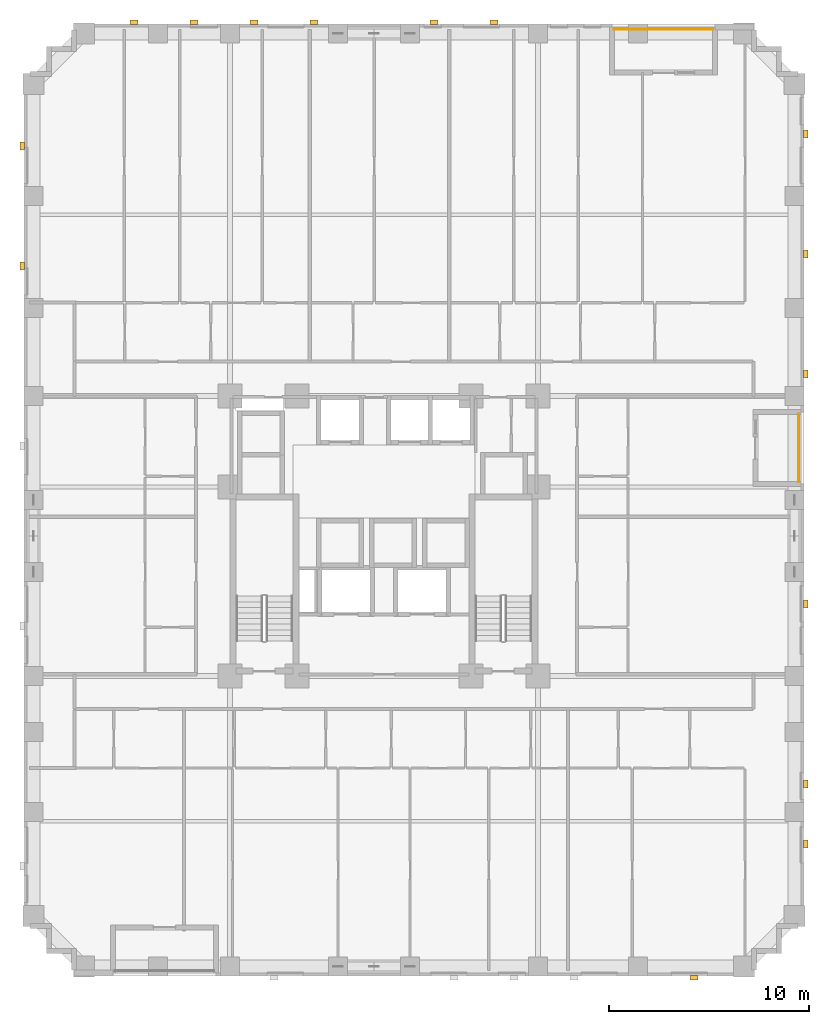
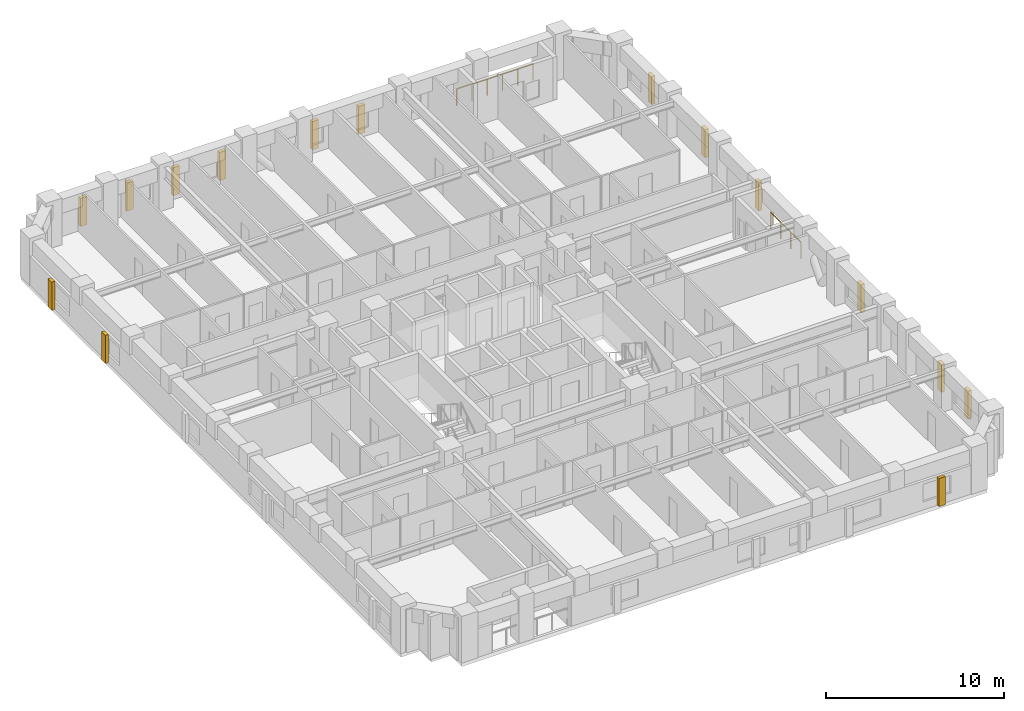
# One storey, part 13 of 13: 15 coverings, 2 railings.
"""IFC4 building model written with IfcOpenShell, lengths in metres."""

from ifc_helpers import new_model, si_unit, derived_unit, direction, frame, origin, origin_2d, place, context, subcontext, project, spatial, rectangle, circle, extrude, material, layer, layer_set, type_object, element, save


model = new_model("IFC4")

# Units and contexts
model_context = context("Model", 3, precision=1e-05, world=origin(), true_north=direction((0.0, 1.0)))
body_context = subcontext(model_context, "Body", "Model", "MODEL_VIEW")
ifc_project = project(units=[si_unit("LENGTHUNIT", "METRE"), si_unit("AREAUNIT", "SQUARE_METRE"), si_unit("VOLUMEUNIT", "CUBIC_METRE"), si_unit("PLANEANGLEUNIT", "RADIAN"), si_unit("MASSUNIT", "GRAM", prefix="KILO"), derived_unit("THERMALTRANSMITTANCEUNIT", [(si_unit("MASSUNIT", "GRAM", prefix="KILO"), 1), (si_unit("TIMEUNIT", "SECOND"), -3), (si_unit("THERMODYNAMICTEMPERATUREUNIT", "KELVIN"), -1)])], contexts=[model_context])

# Site, building, storey
site_placement = place(None, origin())
site = spatial("IfcSite", under=ifc_project, at=site_placement, CompositionType="ELEMENT")
building_placement = place(site_placement, origin())
building = spatial("IfcBuilding", under=site, at=building_placement, Name="Korrvale Station Residences", CompositionType="ELEMENT")
storey_placement = place(building_placement, frame((0.0, 0.0, 32.199951171875)))
storey = spatial("IfcBuildingStorey", under=building, at=storey_placement, Name="L07", CompositionType="ELEMENT", Elevation=32.199951171875)

# Coverings
ifc_material_1 = material(Name="Architectural precast concrete C45/55", Category="concrete")
ifc_layer = layer(ifc_material_1, 0.219970703125, Name="Architectural precast concrete C45/55")
ifc_layer_set = layer_set([ifc_layer], Name="Architectural precast concrete C45/55")
covering_type = type_object("IfcCoveringType", Name="COV-PIER-400", PredefinedType="CLADDING", material=ifc_layer_set)
for number, where, z_axis, x_axis, name in (
    (1, (41.0, -0.090087890625, 0.02490234375), (0.0, 0.0, 1.0), (1.0, 0.0, 0.0), "L07 Architectural Precast Facade Pier 01"),
    (2, (13.0, 47.68994140625, 0.02490234375), (0.0, 0.0, 1.0), (1.0, 0.0, 0.0), "L07 Architectural Precast Facade Pier 06"),
    (3, (16.0, 47.68994140625, 0.02490234375), (0.0, 0.0, 1.0), (1.0, 0.0, 0.0), "L07 Architectural Precast Facade Pier 07"),
    (4, (19.0, 47.68994140625, 0.02490234375), (0.0, 0.0, 1.0), (1.0, 0.0, 0.0), "L07 Architectural Precast Facade Pier 08"),
    (5, (22.0, 47.68994140625, 0.02490234375), (0.0, 0.0, 1.0), (1.0, 0.0, 0.0), "L07 Architectural Precast Facade Pier 09"),
    (6, (28.0, 47.68994140625, 0.02490234375), (0.0, 0.0, 1.0), (1.0, 0.0, 0.0), "L07 Architectural Precast Facade Pier 10"),
    (7, (31.0, 47.68994140625, 0.02490234375), (0.0, 0.0, 1.0), (1.0, 0.0, 0.0), "L07 Architectural Precast Facade Pier 11"),
    (8, (7.409912109375, 35.5, 0.02490234375), (0.0, 0.0, 1.0), (0.0, 1.0, 0.0), "L07 Architectural Precast Facade Pier 15"),
    (9, (7.409912109375, 41.5, 0.02490234375), (0.0, 0.0, 1.0), (0.0, 1.0, 0.0), "L07 Architectural Precast Facade Pier 16"),
    (10, (46.590087890625, 42.10009765625, 0.02490234375), (0.0, 0.0, 1.0), (0.0, 1.0, 0.0), "L07 Architectural Precast Facade Pier 17"),
    (11, (46.590087890625, 36.10009765625, 0.02490234375), (0.0, 0.0, 1.0), (0.0, 1.0, 0.0), "L07 Architectural Precast Facade Pier 18"),
    (12, (46.590087890625, 30.10009765625, 0.02490234375), (0.0, 0.0, 1.0), (0.0, 1.0, 0.0), "L07 Architectural Precast Facade Pier 19"),
    (13, (46.590087890625, 18.60009765625, 0.02490234375), (0.0, 0.0, 1.0), (0.0, 1.0, 0.0), "L07 Architectural Precast Facade Pier 20"),
    (14, (46.590087890625, 9.60009765625, 0.02490234375), (0.0, 0.0, 1.0), (0.0, 1.0, 0.0), "L07 Architectural Precast Facade Pier 21"),
    (15, (46.590087890625, 6.60009765625, 0.02490234375), (0.0, 0.0, 1.0), (0.0, 1.0, 0.0), "L07 Architectural Precast Facade Pier 22"),
):
    element("IfcCovering", number, at=place(storey_placement, frame(where, z_axis=z_axis, x_axis=x_axis)), inside=storey, type_object=covering_type, Name=name, PredefinedType="CLADDING", context=body_context, shape_type="SweptSolid", body=[
        extrude(rectangle(XDim=0.419921875, YDim=0.219970703125, at=origin_2d()), origin(), (0.0, 0.0, 1.0), 1.925048828125),
    ])

# Railings
ifc_material_2 = material(Name="Powder-coated aluminium picket loggia guard", Category="aluminium")
railing_type = type_object("IfcRailingType", Name="RLG-BAL-1150", PredefinedType="GUARDRAIL", material=ifc_material_2)
railing_1_placement = place(storey_placement, frame((37.0, 47.330078125, 0.0)))
element("IfcRailing", 16, at=railing_1_placement, inside=storey, type_object=railing_type, Name="L07 Recessed Loggia Guardrail BAL-L07-N1", PredefinedType="GUARDRAIL", context=body_context, shape_type="SweptSolid", body=[
    extrude(circle(Radius=0.02392578125, at=origin_2d()), frame((0.0, 0.0, 1.1259765625), z_axis=(1.0, 0.0, 0.0), x_axis=(0.0, 1.0, 0.0)), (0.0, 0.0, 1.0), 4.949951171875),
    extrude(circle(Radius=0.02099609375, at=origin_2d()), origin(), (0.0, 0.0, 1.0), 1.101806640625),
    extrude(circle(Radius=0.02099609375, at=origin_2d()), frame((0.989990234375, 0.0, 0.0)), (0.0, 0.0, 1.0), 1.101806640625),
    extrude(circle(Radius=0.02099609375, at=origin_2d()), frame((1.97998046875, 0.0, 0.0)), (0.0, 0.0, 1.0), 1.101806640625),
    extrude(circle(Radius=0.02099609375, at=origin_2d()), frame((2.969970703125, 0.0, 0.0)), (0.0, 0.0, 1.0), 1.101806640625),
    extrude(circle(Radius=0.02099609375, at=origin_2d()), frame((3.9599609375, 0.0, 0.0)), (0.0, 0.0, 1.0), 1.101806640625),
    extrude(circle(Radius=0.02099609375, at=origin_2d()), frame((4.949951171875, 0.0, 0.0)), (0.0, 0.0, 1.0), 1.101806640625),
])
railing_2_placement = place(storey_placement, frame((46.22998046875, 24.699951171875, 0.0)))
element("IfcRailing", 17, at=railing_2_placement, inside=storey, type_object=railing_type, Name="L07 Recessed Loggia Guardrail BAL-L07-E1", PredefinedType="GUARDRAIL", context=body_context, shape_type="SweptSolid", body=[
    extrude(circle(Radius=0.02392578125, at=origin_2d()), frame((0.0, 0.0, 1.1259765625), z_axis=(0.0, 1.0, 0.0), x_axis=(-1.0, 0.0, 0.0)), (0.0, 0.0, 1.0), 3.400146484375),
    extrude(circle(Radius=0.02099609375, at=origin_2d()), origin(), (0.0, 0.0, 1.0), 1.101806640625),
    extrude(circle(Radius=0.02099609375, at=origin_2d()), frame((0.0, 1.13330078125, 0.0)), (0.0, 0.0, 1.0), 1.101806640625),
    extrude(circle(Radius=0.02099609375, at=origin_2d()), frame((0.0, 2.266845703125, 0.0)), (0.0, 0.0, 1.0), 1.101806640625),
    extrude(circle(Radius=0.02099609375, at=origin_2d()), frame((0.0, 3.400146484375, 0.0)), (0.0, 0.0, 1.0), 1.101806640625),
])

save(model, "model.ifc")
